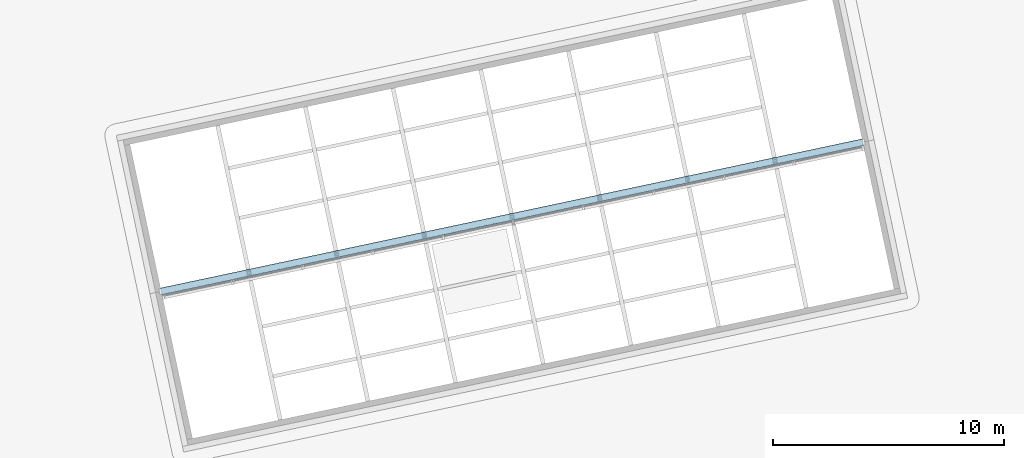
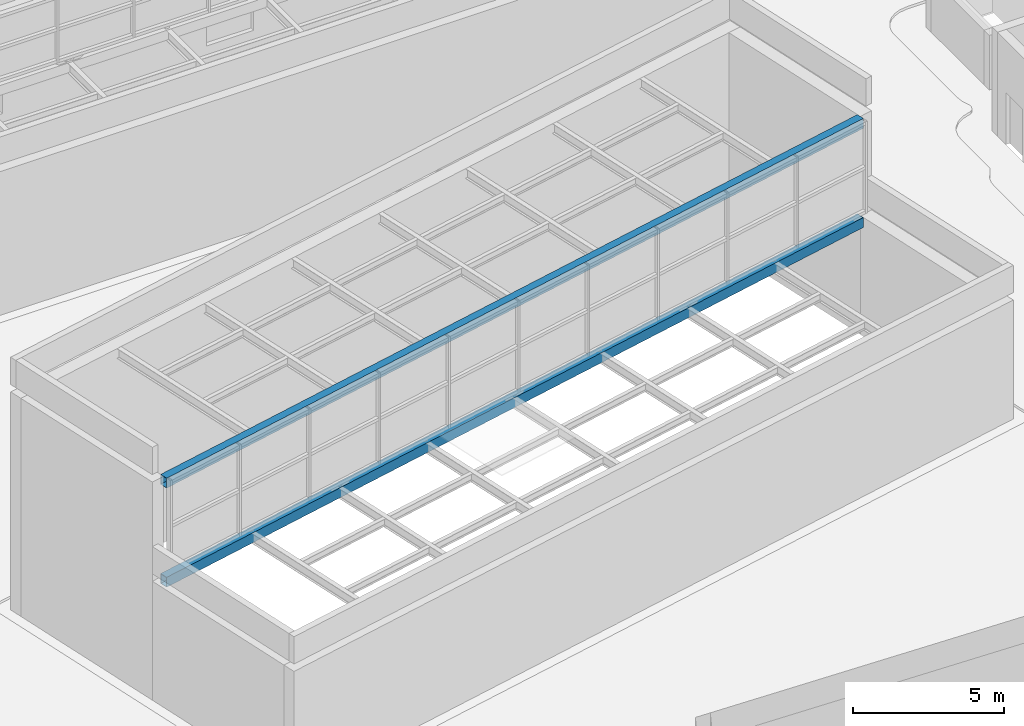
# One storey, part 47 of 72: 2 members.
"""IFC4 building model written with IfcOpenShell, lengths in metres."""

from ifc_helpers import new_model, si_unit, direction, frame, origin, origin_2d, place, context, subcontext, project, spatial, hollow_rectangle, extrude, material, material_profile, profile_set, type_object, element, save


model = new_model("IFC4")

# Units and contexts
model_context = context("Model", 3, precision=1e-05, world=origin(), true_north=direction((0.0, 1.0)))
body_context = subcontext(model_context, "Body", "Model", "MODEL_VIEW")
ifc_project = project(units=[si_unit("LENGTHUNIT", "METRE"), si_unit("AREAUNIT", "SQUARE_METRE"), si_unit("VOLUMEUNIT", "CUBIC_METRE"), si_unit("PLANEANGLEUNIT", "RADIAN"), si_unit("MASSUNIT", "GRAM", prefix="KILO")], contexts=[model_context])

# Site, building, storey
site_placement = place(None, origin())
site = spatial("IfcSite", under=ifc_project, at=site_placement, CompositionType="ELEMENT")
building_placement = place(site_placement, origin())
building = spatial("IfcBuilding", under=site, at=building_placement, Name="Nzadi Deep Aquarium and Research Tower", CompositionType="ELEMENT")
storey_placement = place(building_placement, frame((0.0, 0.0, 31.89990234375)))
storey = spatial("IfcBuildingStorey", under=building, at=storey_placement, Name="L05", CompositionType="ELEMENT", Elevation=31.89990234375)

# Members
ifc_material = material(Name="Steel S355", Category="steel")
ifc_material_profile = material_profile(ifc_material, hollow_rectangle(XDim=0.300048828125, YDim=0.39990234375, WallThickness=0.011962890625, at=origin_2d()))
ifc_profile_set = profile_set([ifc_material_profile], Name="Steel S355")
member_type = type_object("IfcMemberType", Name="RHS 400x300x12 chord", PredefinedType="CHORD", material=ifc_profile_set)
for number, where, z_axis, x_axis, name in (
    (1, (13.638671875, 109.977294921875, 8.60009765625), (0.978147180329, 0.207913668656, 0.0), (-0.207913668656, 0.978147180329, 0.0), "MB-BL-STEP-TOP"),
    (2, (13.638671875, 109.977294921875, 4.60009765625), (0.978147180329, 0.207913668656, 0.0), (-0.207913668656, 0.978147180329, 0.0), "MB-BL-STEP-BOT"),
):
    element("IfcMember", number, at=place(storey_placement, frame(where, z_axis=z_axis, x_axis=x_axis)), inside=storey, type_object=member_type, Name=name, PredefinedType="CHORD", context=body_context, shape_type="SweptSolid", body=[
        extrude(hollow_rectangle(XDim=0.300048828125, YDim=0.39990234375, WallThickness=0.011962890625, at=origin_2d()), origin(), (0.0, 0.0, 1.0), 31.0),
    ])

save(model, "model.ifc")
